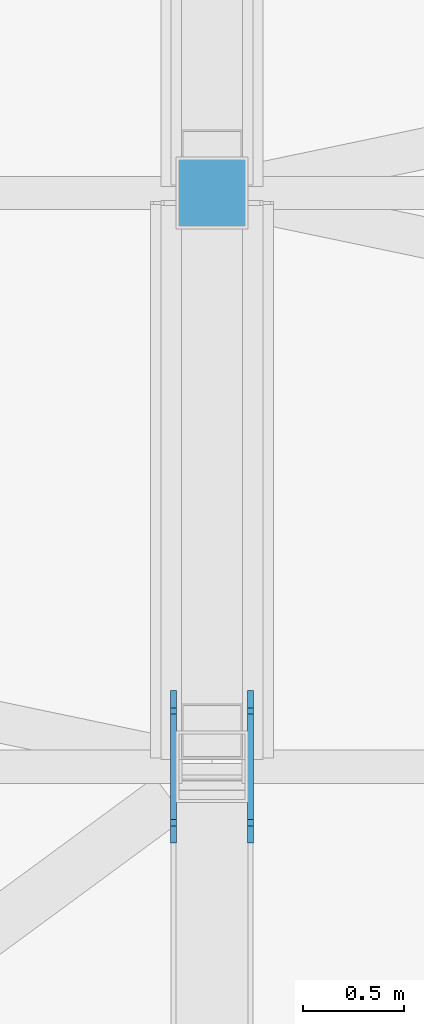
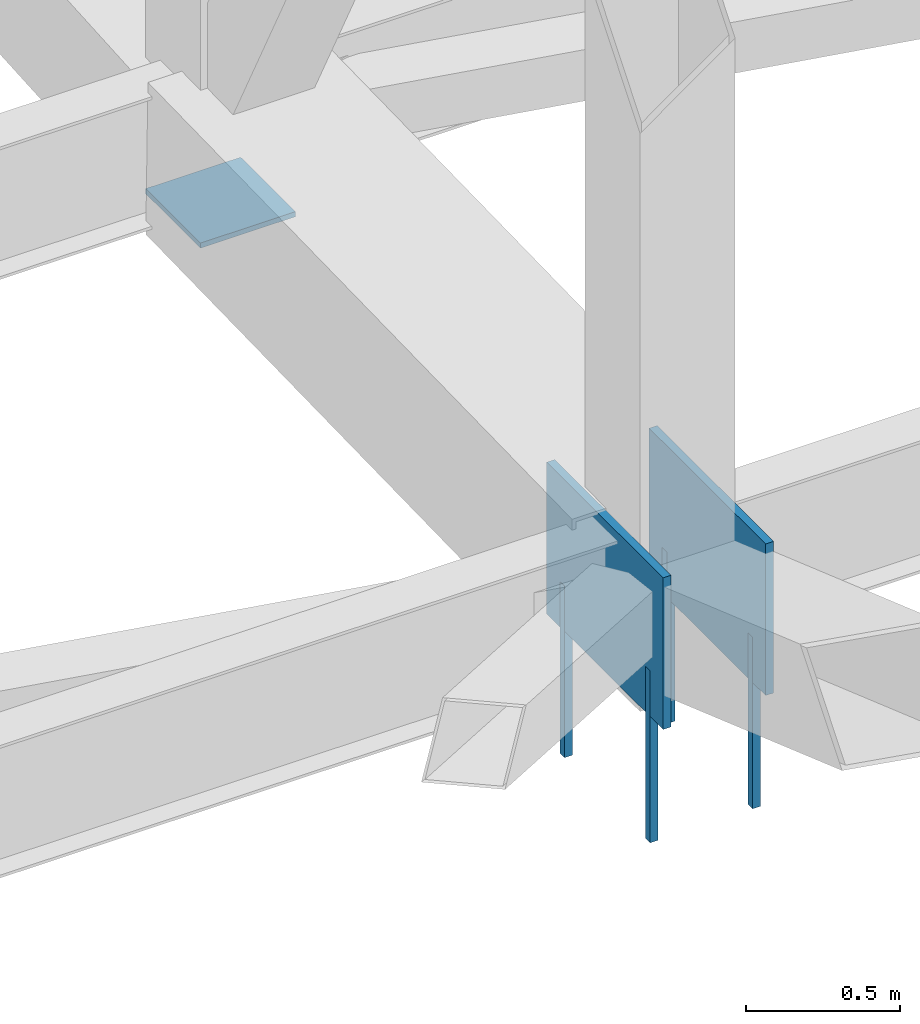
# One storey, part 135 of 278: 4 mechanical fasteners, 3 discrete accessories.
"""IFC4 building model written with IfcOpenShell, lengths in metres."""

from ifc_helpers import new_model, si_unit, direction, frame, origin, origin_2d, place, context, subcontext, project, spatial, rectangle, extrude, material, layer, layer_set, type_object, element, save


model = new_model("IFC4")

# Units and contexts
model_context = context("Model", 3, precision=1e-05, world=origin(), true_north=direction((0.0, 1.0)))
body_context = subcontext(model_context, "Body", "Model", "MODEL_VIEW")
ifc_project = project(units=[si_unit("LENGTHUNIT", "METRE"), si_unit("AREAUNIT", "SQUARE_METRE"), si_unit("VOLUMEUNIT", "CUBIC_METRE"), si_unit("PLANEANGLEUNIT", "RADIAN"), si_unit("MASSUNIT", "GRAM", prefix="KILO")], contexts=[model_context])

# Site, building, storey
site_placement = place(None, origin())
site = spatial("IfcSite", under=ifc_project, at=site_placement, CompositionType="ELEMENT")
building_placement = place(site_placement, origin())
building = spatial("IfcBuilding", under=site, at=building_placement, Name="Ogive Plaza Stadium", CompositionType="ELEMENT")
storey_placement = place(building_placement, frame((0.0, 0.0, 29.0)))
storey = spatial("IfcBuildingStorey", under=building, at=storey_placement, Name="Roof", CompositionType="ELEMENT", Elevation=29.0)

# Mechanical fasteners
ifc_material_1 = material(Name="Steel ASTM A992 Grade 50", Category="steel")
mechanical_fastener_type = type_object("IfcMechanicalFastenerType", Name="Anchor bolt M30 x 600", PredefinedType="ANCHORBOLT", material=ifc_material_1)
for number, where, z_axis, x_axis, name in (
    (1, (-6.608154296875, -92.77783203125, -0.5), (0.0, 0.0, 1.0), (0.0, -1.0, 0.0), "ANCHOR BOLT 15 BP 1.1"),
    (2, (-6.608154296875, -92.22216796875, -0.5), (0.0, 0.0, 1.0), (0.0, -1.0, 0.0), "ANCHOR BOLT 15 BP 1.2"),
    (3, (-6.99169921875, -92.77783203125, -0.5), (0.0, 0.0, 1.0), (0.0, -1.0, 0.0), "ANCHOR BOLT 15 BP 2.1"),
    (4, (-6.99169921875, -92.22216796875, -0.5), (0.0, 0.0, 1.0), (0.0, -1.0, 0.0), "ANCHOR BOLT 15 BP 2.2"),
):
    element("IfcMechanicalFastener", number, at=place(storey_placement, frame(where, z_axis=z_axis, x_axis=x_axis)), inside=storey, type_object=mechanical_fastener_type, Name=name, PredefinedType="ANCHORBOLT", context=body_context, shape_type="SweptSolid", body=[
        extrude(rectangle(XDim=0.030029296875, YDim=0.030029296875, at=origin_2d()), origin(), (0.0, 0.0, 1.0), 0.679931640625),
    ])

# Discrete accessories
ifc_material_2 = material(Name="Steel ASTM A992 Grade 50", Category="steel")
ifc_layer_1 = layer(ifc_material_2, 0.02001953125)
ifc_layer_set_1 = layer_set([ifc_layer_1], Name="Steel ASTM A992 Grade 50")
discrete_accessory_type_1 = type_object("IfcDiscreteAccessoryType", Name="Roof truss post cap plate 20", PredefinedType="ANCHORPLATE", material=ifc_layer_set_1)
discrete_accessory_placement = place(storey_placement, frame((-6.800048828125, -89.64990234375, 0.04541015625), z_axis=(0.0, 0.0, 1.0), x_axis=(0.0, -1.0, 0.0)))
element("IfcDiscreteAccessory", 5, at=discrete_accessory_placement, inside=storey, type_object=discrete_accessory_type_1, Name="ROOF TRUSS POST CAP PLATE 15 10", PredefinedType="ANCHORPLATE", context=body_context, shape_type="SweptSolid", body=[
    extrude(rectangle(XDim=0.355712890625, YDim=0.355712890625, at=origin_2d()), origin(), (0.0, 0.0, 1.0), 0.02001953125),
])
ifc_material_3 = material(Name="Steel ASTM A992 Grade 50", Category="steel")
ifc_layer_2 = layer(ifc_material_3, 0.030029296875)
ifc_layer_set_2 = layer_set([ifc_layer_2], Name="Steel ASTM A992 Grade 50")
discrete_accessory_type_2 = type_object("IfcDiscreteAccessoryType", Name="Truss root foot cleat plate 30", PredefinedType="ANCHORPLATE", material=ifc_layer_set_2)
for number, where, z_axis, x_axis, name in (
    (6, (-6.608154296875, -92.5, 0.0), (0.0, 0.0, 1.0), (0.0, -1.0, 0.0), "TRUSS ROOT FOOT CLEAT PLATE 15 1"),
    (7, (-6.99169921875, -92.5, 0.0), (0.0, 0.0, 1.0), (0.0, -1.0, 0.0), "TRUSS ROOT FOOT CLEAT PLATE 15 2"),
):
    element("IfcDiscreteAccessory", number, at=place(storey_placement, frame(where, z_axis=z_axis, x_axis=x_axis)), inside=storey, type_object=discrete_accessory_type_2, Name=name, PredefinedType="ANCHORPLATE", context=body_context, shape_type="SweptSolid", body=[
        extrude(rectangle(XDim=0.755615234375, YDim=0.030029296875, at=origin_2d()), origin(), (0.0, 0.0, 1.0), 0.60009765625),
    ])

save(model, "model.ifc")
